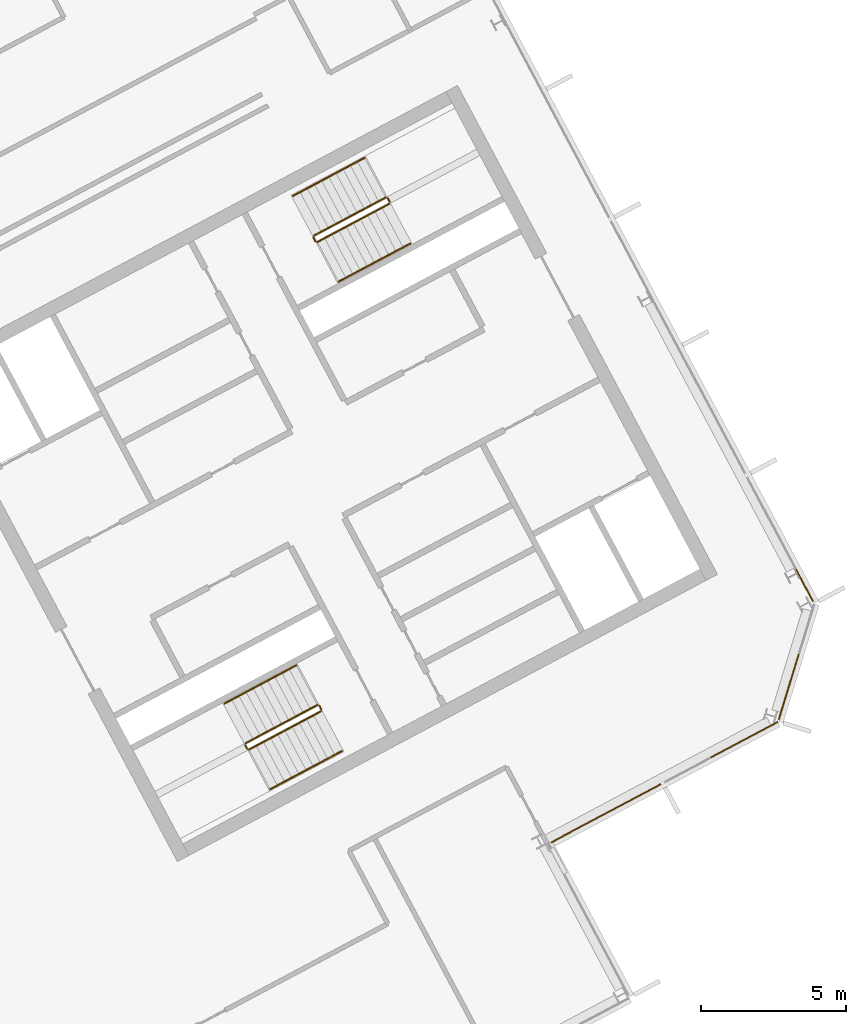
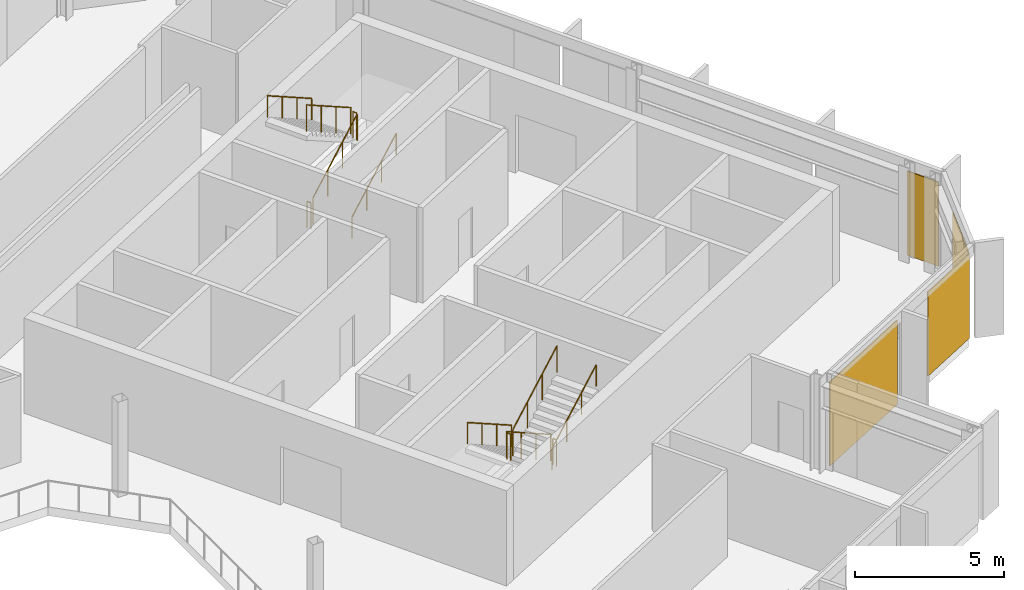
# One storey, part 24 of 25: 12 railings, 4 coverings, 3 elements without a shape of their own.
"""IFC4 building model written with IfcOpenShell, lengths in metres."""

from ifc_helpers import new_model, si_unit, direction, frame, origin, origin_2d, place, context, subcontext, project, spatial, polyline, rectangle, outline, extrude, material, layer, layer_set, type_object, element, aggregate, save


model = new_model("IFC4")

# Units and contexts
model_context = context("Model", 3, precision=1e-05, world=origin(), true_north=direction((0.0, 1.0)))
body_context = subcontext(model_context, "Body", "Model", "MODEL_VIEW")
ifc_project = project(units=[si_unit("LENGTHUNIT", "METRE"), si_unit("AREAUNIT", "SQUARE_METRE"), si_unit("VOLUMEUNIT", "CUBIC_METRE"), si_unit("PLANEANGLEUNIT", "RADIAN"), si_unit("MASSUNIT", "GRAM", prefix="KILO")], contexts=[model_context])

# Site, building, storey
site_placement = place(None, origin())
site = spatial("IfcSite", under=ifc_project, at=site_placement, CompositionType="ELEMENT")
building_placement = place(site_placement, origin())
building = spatial("IfcBuilding", under=site, at=building_placement, Name="Cormorant Relay Tower", CompositionType="ELEMENT")
storey_placement = place(building_placement, frame((0.0, 0.0, 289.199951171875)))
storey = spatial("IfcBuildingStorey", under=building, at=storey_placement, Name="L65", CompositionType="ELEMENT", Elevation=289.199951171875)

# Curtain wall, coverings
ifc_material_1 = material(Name="Aluminium 6063-T6 anodised bronze", Category="aluminium")
ifc_layer_1 = layer(ifc_material_1, 0.199951171875)
ifc_layer_set_1 = layer_set([ifc_layer_1], Name="CW1 unitised bronze curtain wall with vertical fins")
curtain_wall_type = type_object("IfcCurtainWallType", Name="CW1 unitised bronze curtain wall with vertical fins", PredefinedType="NOTDEFINED", material=ifc_layer_set_1)
curtain_wall_1_placement = place(storey_placement, origin())
curtain_wall_1 = element("IfcCurtainWall", 1, at=curtain_wall_1_placement, inside=storey, type_object=curtain_wall_type, Name="CW1 curtain wall 4", PredefinedType="NOTDEFINED")
ifc_material_2 = material(Name="Pale bronze anodised aluminium insulated panel", Category="aluminium")
ifc_layer_2 = layer(ifc_material_2, 0.0400390625)
ifc_layer_set_2 = layer_set([ifc_layer_2], Name="CW1 pale bronze insulated panel 40")
covering_type = type_object("IfcCoveringType", Name="CW1 pale bronze insulated panel 40", PredefinedType="CLADDING", material=ifc_layer_set_2)
covering_1_placement = place(storey_placement, frame((33.793701171875, 0.957275390625, 0.0), z_axis=(0.0, 0.0, 1.0), x_axis=(0.882947592859, 0.469471562786, 0.0)))
covering_1 = element("IfcCovering", 2, at=covering_1_placement, type_object=covering_type, Name="CW1 panel S00", PredefinedType="CLADDING", context=body_context, shape_type="SweptSolid", body=[
    extrude(rectangle(XDim=4.27490234375, YDim=0.0400390625, at=origin_2d()), origin(), (0.0, 0.0, 1.0), 3.449951171875),
])
covering_2_placement = place(storey_placement, frame((38.561767578125, 3.492431640625, 0.0), z_axis=(0.0, 0.0, 1.0), x_axis=(0.882947592859, 0.469471562786, 0.0)))
covering_2 = element("IfcCovering", 3, at=covering_2_placement, type_object=covering_type, Name="CW1 panel S02", PredefinedType="CLADDING", context=body_context, shape_type="SweptSolid", body=[
    extrude(rectangle(XDim=2.625, YDim=0.0400390625, at=origin_2d()), origin(), (0.0, 0.0, 1.0), 3.449951171875),
])
aggregate(curtain_wall_1, [covering_1, covering_2])

# Curtain wall, covering
curtain_wall_2_placement = place(storey_placement, origin())
curtain_wall_2 = element("IfcCurtainWall", 4, at=curtain_wall_2_placement, inside=storey, type_object=curtain_wall_type, Name="CW1 curtain wall 5", PredefinedType="NOTDEFINED")
covering_3_placement = place(storey_placement, frame((40.098388671875, 5.32421875, 0.0), z_axis=(0.0, 0.0, 1.0), x_axis=(0.292371704723, 0.956304755963, 0.0)))
covering_3 = element("IfcCovering", 5, at=covering_3_placement, type_object=covering_type, Name="CW1 panel S00", PredefinedType="CLADDING", context=body_context, shape_type="SweptSolid", body=[
    extrude(rectangle(XDim=2.36767578125, YDim=0.0400390625, at=origin_2d()), origin(), (0.0, 0.0, 1.0), 3.449951171875),
])
aggregate(curtain_wall_2, [covering_3])

curtain_wall_3_placement = place(storey_placement, origin())
curtain_wall_3 = element("IfcCurtainWall", 6, at=curtain_wall_3_placement, inside=storey, type_object=curtain_wall_type, Name="CW1 curtain wall 6", PredefinedType="NOTDEFINED")
covering_4_placement = place(storey_placement, frame((40.640625, 8.810791015625, 0.0), z_axis=(0.0, 0.0, 1.0), x_axis=(-0.469471562786, 0.882947592859, 0.0)))
covering_4 = element("IfcCovering", 7, at=covering_4_placement, type_object=covering_type, Name="CW1 panel S00", PredefinedType="CLADDING", context=body_context, shape_type="SweptSolid", body=[
    extrude(rectangle(XDim=1.25, YDim=0.0400390625, at=origin_2d()), origin(), (0.0, 0.0, 1.0), 3.449951171875),
])
aggregate(curtain_wall_3, [covering_4])

# Railings
ifc_material_3 = material(Name="Steel ASTM A572 Grade 50 (Fy 345 MPa)", Category="steel")
railing_type_1 = type_object("IfcRailingType", Name="Stair guard 1100", PredefinedType="GUARDRAIL", material=ifc_material_3)
railing_1_placement = place(storey_placement, frame((23.83837890625, 4.6904296875, 0.17724609375)))
element("IfcRailing", 8, at=railing_1_placement, inside=storey, type_object=railing_type_1, Name="L65 B1 stair guard 1", PredefinedType="GUARDRAIL", context=body_context, shape_type="SweptSolid", body=[
    extrude(outline(polyline([(0.022216796875, 0.00927734375), (0.00927734375, 0.022216796875), (-0.00927734375, 0.022216796875), (-0.022216796875, 0.00927734375), (-0.022216796875, -0.00927734375), (-0.00927734375, -0.022216796875), (0.00927734375, -0.022216796875), (0.022216796875, -0.00927734375), (0.022216796875, 0.00927734375)])), frame((0.0, 0.0, 1.076171875), z_axis=(-0.746033882577, -0.396627473466, 0.534901947407), x_axis=(0.469429322983, -0.882970050864, 0.0)), (0.0, 0.0, 1.0), 3.31396484375),
    extrude(outline(polyline([(0.019287109375, 0.008056640625), (0.008056640625, 0.019287109375), (-0.008056640625, 0.019287109375), (-0.019287109375, 0.008056640625), (-0.019287109375, -0.008056640625), (-0.008056640625, -0.019287109375), (0.008056640625, -0.019287109375), (0.019287109375, -0.008056640625), (0.019287109375, 0.008056640625)])), origin(), (0.0, 0.0, 1.0), 1.052001953125),
    extrude(outline(polyline([(0.019287109375, 0.008056640625), (0.008056640625, 0.019287109375), (-0.008056640625, 0.019287109375), (-0.019287109375, 0.008056640625), (-0.019287109375, -0.008056640625), (-0.008056640625, -0.019287109375), (0.008056640625, -0.019287109375), (0.019287109375, -0.008056640625), (0.019287109375, 0.008056640625)])), frame((-0.82421875, -0.438232421875, 0.5908203125)), (0.0, 0.0, 1.0), 1.052001953125),
    extrude(outline(polyline([(0.019287109375, 0.008056640625), (0.008056640625, 0.019287109375), (-0.008056640625, 0.019287109375), (-0.019287109375, 0.008056640625), (-0.019287109375, -0.008056640625), (-0.008056640625, -0.019287109375), (0.008056640625, -0.019287109375), (0.019287109375, -0.008056640625), (0.019287109375, 0.008056640625)])), frame((-1.648193359375, -0.876220703125, 1.181884765625)), (0.0, 0.0, 1.0), 1.052001953125),
    extrude(outline(polyline([(0.019287109375, 0.008056640625), (0.008056640625, 0.019287109375), (-0.008056640625, 0.019287109375), (-0.019287109375, 0.008056640625), (-0.019287109375, -0.008056640625), (-0.008056640625, -0.019287109375), (0.008056640625, -0.019287109375), (0.019287109375, -0.008056640625), (0.019287109375, 0.008056640625)])), frame((-2.472412109375, -1.314453125, 1.772705078125)), (0.0, 0.0, 1.0), 1.052001953125),
])
railing_2_placement = place(storey_placement, frame((21.345458984375, 3.308349609375, 1.949951171875)))
element("IfcRailing", 9, at=railing_2_placement, inside=storey, type_object=railing_type_1, Name="L65 B1 stair guard 2", PredefinedType="GUARDRAIL", context=body_context, shape_type="SweptSolid", body=[
    extrude(outline(polyline([(0.022216796875, 0.00927734375), (0.00927734375, 0.022216796875), (-0.00927734375, 0.022216796875), (-0.022216796875, 0.00927734375), (-0.022216796875, -0.00927734375), (-0.00927734375, -0.022216796875), (0.00927734375, -0.022216796875), (0.022216796875, -0.00927734375), (0.022216796875, 0.00927734375)])), frame((0.0, 0.0, 1.076171875), z_axis=(0.46856034887, -0.8834314911, 0.0), x_axis=(0.8834314911, 0.46856034887, 0.0)), (0.0, 0.0, 1.0), 0.150146484375),
    extrude(outline(polyline([(0.019287109375, 0.008056640625), (0.008056640625, 0.019287109375), (-0.008056640625, 0.019287109375), (-0.019287109375, 0.008056640625), (-0.019287109375, -0.008056640625), (-0.008056640625, -0.019287109375), (0.008056640625, -0.019287109375), (0.019287109375, -0.008056640625), (0.019287109375, 0.008056640625)])), origin(), (0.0, 0.0, 1.0), 1.052001953125),
    extrude(outline(polyline([(0.019287109375, 0.008056640625), (0.008056640625, 0.019287109375), (-0.008056640625, 0.019287109375), (-0.019287109375, 0.008056640625), (-0.019287109375, -0.008056640625), (-0.008056640625, -0.019287109375), (0.008056640625, -0.019287109375), (0.019287109375, -0.008056640625), (0.019287109375, 0.008056640625)])), frame((0.0703125, -0.132568359375, 0.0)), (0.0, 0.0, 1.0), 1.052001953125),
])
railing_3_placement = place(storey_placement, frame((21.4833984375, 3.1552734375, 2.12744140625)))
element("IfcRailing", 10, at=railing_3_placement, inside=storey, type_object=railing_type_1, Name="L65 B1 stair guard 3", PredefinedType="GUARDRAIL", context=body_context, shape_type="SweptSolid", body=[
    extrude(outline(polyline([(0.022216796875, 0.00927734375), (0.00927734375, 0.022216796875), (-0.00927734375, 0.022216796875), (-0.022216796875, 0.00927734375), (-0.022216796875, -0.00927734375), (-0.00927734375, -0.022216796875), (0.00927734375, -0.022216796875), (0.022216796875, -0.00927734375), (0.022216796875, 0.00927734375)])), frame((0.0, 0.0, 1.076171875), z_axis=(0.746001213114, 0.396649272309, 0.534931345884), x_axis=(-0.469465464807, 0.882950835185, 0.0)), (0.0, 0.0, 1.0), 3.31396484375),
    extrude(outline(polyline([(0.019287109375, 0.008056640625), (0.008056640625, 0.019287109375), (-0.008056640625, 0.019287109375), (-0.019287109375, 0.008056640625), (-0.019287109375, -0.008056640625), (-0.008056640625, -0.019287109375), (0.008056640625, -0.019287109375), (0.019287109375, -0.008056640625), (0.019287109375, 0.008056640625)])), origin(), (0.0, 0.0, 1.0), 1.052001953125),
    extrude(outline(polyline([(0.019287109375, 0.008056640625), (0.008056640625, 0.019287109375), (-0.008056640625, 0.019287109375), (-0.019287109375, 0.008056640625), (-0.019287109375, -0.008056640625), (-0.008056640625, -0.019287109375), (0.008056640625, -0.019287109375), (0.019287109375, -0.008056640625), (0.019287109375, 0.008056640625)])), frame((0.823974609375, 0.438232421875, 0.5908203125)), (0.0, 0.0, 1.0), 1.052001953125),
    extrude(outline(polyline([(0.019287109375, 0.008056640625), (0.008056640625, 0.019287109375), (-0.008056640625, 0.019287109375), (-0.019287109375, 0.008056640625), (-0.019287109375, -0.008056640625), (-0.008056640625, -0.019287109375), (0.008056640625, -0.019287109375), (0.019287109375, -0.008056640625), (0.019287109375, 0.008056640625)])), frame((1.648193359375, 0.876220703125, 1.181884765625)), (0.0, 0.0, 1.0), 1.052001953125),
    extrude(outline(polyline([(0.019287109375, 0.008056640625), (0.008056640625, 0.019287109375), (-0.008056640625, 0.019287109375), (-0.019287109375, 0.008056640625), (-0.019287109375, -0.008056640625), (-0.008056640625, -0.019287109375), (0.008056640625, -0.019287109375), (0.019287109375, -0.008056640625), (0.019287109375, 0.008056640625)])), frame((2.47216796875, 1.314453125, 1.772705078125)), (0.0, 0.0, 1.0), 1.052001953125),
])
railing_4_placement = place(storey_placement, frame((23.906005859375, 4.669677734375, 0.0)))
element("IfcRailing", 11, at=railing_4_placement, inside=storey, type_object=railing_type_1, Name="L65 B1 stair guard 4", PredefinedType="GUARDRAIL", context=body_context, shape_type="SweptSolid", body=[
    extrude(outline(polyline([(0.022216796875, 0.00927734375), (0.00927734375, 0.022216796875), (-0.00927734375, 0.022216796875), (-0.022216796875, 0.00927734375), (-0.022216796875, -0.00927734375), (-0.00927734375, -0.022216796875), (0.00927734375, -0.022216796875), (0.022216796875, -0.00927734375), (0.022216796875, 0.00927734375)])), frame((0.0, 0.0, 1.076171875), z_axis=(0.469234640946, -0.883073525669, 0.0), x_axis=(0.883073525669, 0.469234640946, 0.0)), (0.0, 0.0, 1.0), 0.14990234375),
    extrude(outline(polyline([(0.019287109375, 0.008056640625), (0.008056640625, 0.019287109375), (-0.008056640625, 0.019287109375), (-0.019287109375, 0.008056640625), (-0.019287109375, -0.008056640625), (-0.008056640625, -0.019287109375), (0.008056640625, -0.019287109375), (0.019287109375, -0.008056640625), (0.019287109375, 0.008056640625)])), origin(), (0.0, 0.0, 1.0), 1.052001953125),
    extrude(outline(polyline([(0.019287109375, 0.008056640625), (0.008056640625, 0.019287109375), (-0.008056640625, 0.019287109375), (-0.019287109375, 0.008056640625), (-0.019287109375, -0.008056640625), (-0.008056640625, -0.019287109375), (0.008056640625, -0.019287109375), (0.019287109375, -0.008056640625), (0.019287109375, 0.008056640625)])), frame((0.0703125, -0.13232421875, 0.0)), (0.0, 0.0, 1.0), 1.052001953125),
])
railing_5_placement = place(storey_placement, frame((23.8408203125, 20.6611328125, 0.17724609375)))
element("IfcRailing", 12, at=railing_5_placement, inside=storey, type_object=railing_type_1, Name="L65 B2 stair guard 1", PredefinedType="GUARDRAIL", context=body_context, shape_type="SweptSolid", body=[
    extrude(outline(polyline([(0.022216796875, 0.00927734375), (0.00927734375, 0.022216796875), (-0.00927734375, 0.022216796875), (-0.022216796875, 0.00927734375), (-0.022216796875, -0.00927734375), (-0.00927734375, -0.022216796875), (0.00927734375, -0.022216796875), (0.022216796875, -0.00927734375), (0.022216796875, 0.00927734375)])), frame((0.0, 0.0, 1.076171875), z_axis=(0.746033882577, 0.396627473466, 0.534901947407), x_axis=(-0.469429322983, 0.882970050864, 0.0)), (0.0, 0.0, 1.0), 3.31396484375),
    extrude(outline(polyline([(0.019287109375, 0.008056640625), (0.008056640625, 0.019287109375), (-0.008056640625, 0.019287109375), (-0.019287109375, 0.008056640625), (-0.019287109375, -0.008056640625), (-0.008056640625, -0.019287109375), (0.008056640625, -0.019287109375), (0.019287109375, -0.008056640625), (0.019287109375, 0.008056640625)])), origin(), (0.0, 0.0, 1.0), 1.052001953125),
    extrude(outline(polyline([(0.019287109375, 0.008056640625), (0.008056640625, 0.019287109375), (-0.008056640625, 0.019287109375), (-0.019287109375, 0.008056640625), (-0.019287109375, -0.008056640625), (-0.008056640625, -0.019287109375), (0.008056640625, -0.019287109375), (0.019287109375, -0.008056640625), (0.019287109375, 0.008056640625)])), frame((0.82421875, 0.438232421875, 0.5908203125)), (0.0, 0.0, 1.0), 1.052001953125),
    extrude(outline(polyline([(0.019287109375, 0.008056640625), (0.008056640625, 0.019287109375), (-0.008056640625, 0.019287109375), (-0.019287109375, 0.008056640625), (-0.019287109375, -0.008056640625), (-0.008056640625, -0.019287109375), (0.008056640625, -0.019287109375), (0.019287109375, -0.008056640625), (0.019287109375, 0.008056640625)])), frame((1.648193359375, 0.876220703125, 1.181884765625)), (0.0, 0.0, 1.0), 1.052001953125),
    extrude(outline(polyline([(0.019287109375, 0.008056640625), (0.008056640625, 0.019287109375), (-0.008056640625, 0.019287109375), (-0.019287109375, 0.008056640625), (-0.019287109375, -0.008056640625), (-0.008056640625, -0.019287109375), (0.008056640625, -0.019287109375), (0.019287109375, -0.008056640625), (0.019287109375, 0.008056640625)])), frame((2.472412109375, 1.314453125, 1.772705078125)), (0.0, 0.0, 1.0), 1.052001953125),
])
railing_6_placement = place(storey_placement, frame((26.333740234375, 22.043212890625, 1.949951171875)))
element("IfcRailing", 13, at=railing_6_placement, inside=storey, type_object=railing_type_1, Name="L65 B2 stair guard 2", PredefinedType="GUARDRAIL", context=body_context, shape_type="SweptSolid", body=[
    extrude(outline(polyline([(0.022216796875, 0.00927734375), (0.00927734375, 0.022216796875), (-0.00927734375, 0.022216796875), (-0.022216796875, 0.00927734375), (-0.022216796875, -0.00927734375), (-0.00927734375, -0.022216796875), (0.00927734375, -0.022216796875), (0.022216796875, -0.00927734375), (0.022216796875, 0.00927734375)])), frame((0.0, 0.0, 1.076171875), z_axis=(-0.469234640946, 0.883073525669, 0.0), x_axis=(-0.883073525669, -0.469234640946, 0.0)), (0.0, 0.0, 1.0), 0.14990234375),
    extrude(outline(polyline([(0.019287109375, 0.008056640625), (0.008056640625, 0.019287109375), (-0.008056640625, 0.019287109375), (-0.019287109375, 0.008056640625), (-0.019287109375, -0.008056640625), (-0.008056640625, -0.019287109375), (0.008056640625, -0.019287109375), (0.019287109375, -0.008056640625), (0.019287109375, 0.008056640625)])), origin(), (0.0, 0.0, 1.0), 1.052001953125),
    extrude(outline(polyline([(0.019287109375, 0.008056640625), (0.008056640625, 0.019287109375), (-0.008056640625, 0.019287109375), (-0.019287109375, 0.008056640625), (-0.019287109375, -0.008056640625), (-0.008056640625, -0.019287109375), (0.008056640625, -0.019287109375), (0.019287109375, -0.008056640625), (0.019287109375, 0.008056640625)])), frame((-0.0703125, 0.13232421875, 0.0)), (0.0, 0.0, 1.0), 1.052001953125),
])
railing_7_placement = place(storey_placement, frame((26.19580078125, 22.1962890625, 2.12744140625)))
element("IfcRailing", 14, at=railing_7_placement, inside=storey, type_object=railing_type_1, Name="L65 B2 stair guard 3", PredefinedType="GUARDRAIL", context=body_context, shape_type="SweptSolid", body=[
    extrude(outline(polyline([(0.022216796875, 0.00927734375), (0.00927734375, 0.022216796875), (-0.00927734375, 0.022216796875), (-0.022216796875, 0.00927734375), (-0.022216796875, -0.00927734375), (-0.00927734375, -0.022216796875), (0.00927734375, -0.022216796875), (0.022216796875, -0.00927734375), (0.022216796875, 0.00927734375)])), frame((0.0, 0.0, 1.076171875), z_axis=(-0.746033882577, -0.396627473466, 0.534901947407), x_axis=(0.469429322983, -0.882970050864, 0.0)), (0.0, 0.0, 1.0), 3.31396484375),
    extrude(outline(polyline([(0.019287109375, 0.008056640625), (0.008056640625, 0.019287109375), (-0.008056640625, 0.019287109375), (-0.019287109375, 0.008056640625), (-0.019287109375, -0.008056640625), (-0.008056640625, -0.019287109375), (0.008056640625, -0.019287109375), (0.019287109375, -0.008056640625), (0.019287109375, 0.008056640625)])), origin(), (0.0, 0.0, 1.0), 1.052001953125),
    extrude(outline(polyline([(0.019287109375, 0.008056640625), (0.008056640625, 0.019287109375), (-0.008056640625, 0.019287109375), (-0.019287109375, 0.008056640625), (-0.019287109375, -0.008056640625), (-0.008056640625, -0.019287109375), (0.008056640625, -0.019287109375), (0.019287109375, -0.008056640625), (0.019287109375, 0.008056640625)])), frame((-0.82421875, -0.438232421875, 0.5908203125)), (0.0, 0.0, 1.0), 1.052001953125),
    extrude(outline(polyline([(0.019287109375, 0.008056640625), (0.008056640625, 0.019287109375), (-0.008056640625, 0.019287109375), (-0.019287109375, 0.008056640625), (-0.019287109375, -0.008056640625), (-0.008056640625, -0.019287109375), (0.008056640625, -0.019287109375), (0.019287109375, -0.008056640625), (0.019287109375, 0.008056640625)])), frame((-1.648193359375, -0.876220703125, 1.181884765625)), (0.0, 0.0, 1.0), 1.052001953125),
    extrude(outline(polyline([(0.019287109375, 0.008056640625), (0.008056640625, 0.019287109375), (-0.008056640625, 0.019287109375), (-0.019287109375, 0.008056640625), (-0.019287109375, -0.008056640625), (-0.008056640625, -0.019287109375), (0.008056640625, -0.019287109375), (0.019287109375, -0.008056640625), (0.019287109375, 0.008056640625)])), frame((-2.472412109375, -1.314453125, 1.772705078125)), (0.0, 0.0, 1.0), 1.052001953125),
])
railing_8_placement = place(storey_placement, frame((23.773193359375, 20.681640625, 0.0)))
element("IfcRailing", 15, at=railing_8_placement, inside=storey, type_object=railing_type_1, Name="L65 B2 stair guard 4", PredefinedType="GUARDRAIL", context=body_context, shape_type="SweptSolid", body=[
    extrude(outline(polyline([(0.022216796875, 0.00927734375), (0.00927734375, 0.022216796875), (-0.00927734375, 0.022216796875), (-0.022216796875, 0.00927734375), (-0.022216796875, -0.00927734375), (-0.00927734375, -0.022216796875), (0.00927734375, -0.022216796875), (0.022216796875, -0.00927734375), (0.022216796875, 0.00927734375)])), frame((0.0, 0.0, 1.076171875), z_axis=(-0.46856034887, 0.8834314911, 0.0), x_axis=(-0.8834314911, -0.46856034887, 0.0)), (0.0, 0.0, 1.0), 0.150146484375),
    extrude(outline(polyline([(0.019287109375, 0.008056640625), (0.008056640625, 0.019287109375), (-0.008056640625, 0.019287109375), (-0.019287109375, 0.008056640625), (-0.019287109375, -0.008056640625), (-0.008056640625, -0.019287109375), (0.008056640625, -0.019287109375), (0.019287109375, -0.008056640625), (0.019287109375, 0.008056640625)])), origin(), (0.0, 0.0, 1.0), 1.052001953125),
    extrude(outline(polyline([(0.019287109375, 0.008056640625), (0.008056640625, 0.019287109375), (-0.008056640625, 0.019287109375), (-0.019287109375, 0.008056640625), (-0.019287109375, -0.008056640625), (-0.008056640625, -0.019287109375), (0.008056640625, -0.019287109375), (0.019287109375, -0.008056640625), (0.019287109375, 0.008056640625)])), frame((-0.0703125, 0.132568359375, 0.0)), (0.0, 0.0, 1.0), 1.052001953125),
])
ifc_material_4 = material(Name="Steel ASTM A572 Grade 50 (Fy 345 MPa)", Category="steel")
railing_type_2 = type_object("IfcRailingType", Name="Stair handrail 900", PredefinedType="HANDRAIL", material=ifc_material_4)
railing_9_placement = place(storey_placement, frame((23.110595703125, 6.05908203125, 0.17724609375)))
element("IfcRailing", 16, at=railing_9_placement, inside=storey, type_object=railing_type_2, Name="L65 B1 stair handrail 1", PredefinedType="HANDRAIL", context=body_context, shape_type="SweptSolid", body=[
    extrude(outline(polyline([(0.022216796875, 0.00927734375), (0.00927734375, 0.022216796875), (-0.00927734375, 0.022216796875), (-0.022216796875, 0.00927734375), (-0.022216796875, -0.00927734375), (-0.00927734375, -0.022216796875), (0.00927734375, -0.022216796875), (0.022216796875, -0.00927734375), (0.022216796875, 0.00927734375)])), frame((0.0, 0.0, 0.8759765625), z_axis=(-0.745979412481, -0.396711350603, 0.534915713414), x_axis=(0.469533439143, -0.882914689835, 0.0)), (0.0, 0.0, 1.0), 3.31396484375),
    extrude(outline(polyline([(0.019287109375, 0.008056640625), (0.008056640625, 0.019287109375), (-0.008056640625, 0.019287109375), (-0.019287109375, 0.008056640625), (-0.019287109375, -0.008056640625), (-0.008056640625, -0.019287109375), (0.008056640625, -0.019287109375), (0.019287109375, -0.008056640625), (0.019287109375, 0.008056640625)])), origin(), (0.0, 0.0, 1.0), 0.851806640625),
    extrude(outline(polyline([(0.019287109375, 0.008056640625), (0.008056640625, 0.019287109375), (-0.008056640625, 0.019287109375), (-0.019287109375, 0.008056640625), (-0.019287109375, -0.008056640625), (-0.008056640625, -0.019287109375), (0.008056640625, -0.019287109375), (0.019287109375, -0.008056640625), (0.019287109375, 0.008056640625)])), frame((-0.823974609375, -0.438232421875, 0.5908203125)), (0.0, 0.0, 1.0), 0.851806640625),
    extrude(outline(polyline([(0.019287109375, 0.008056640625), (0.008056640625, 0.019287109375), (-0.008056640625, 0.019287109375), (-0.019287109375, 0.008056640625), (-0.019287109375, -0.008056640625), (-0.008056640625, -0.019287109375), (0.008056640625, -0.019287109375), (0.019287109375, -0.008056640625), (0.019287109375, 0.008056640625)])), frame((-1.648193359375, -0.87646484375, 1.181884765625)), (0.0, 0.0, 1.0), 0.851806640625),
    extrude(outline(polyline([(0.019287109375, 0.008056640625), (0.008056640625, 0.019287109375), (-0.008056640625, 0.019287109375), (-0.019287109375, 0.008056640625), (-0.019287109375, -0.008056640625), (-0.008056640625, -0.019287109375), (0.008056640625, -0.019287109375), (0.019287109375, -0.008056640625), (0.019287109375, 0.008056640625)])), frame((-2.47216796875, -1.314697265625, 1.772705078125)), (0.0, 0.0, 1.0), 0.851806640625),
])
railing_10_placement = place(storey_placement, frame((22.211181640625, 1.78662109375, 2.12744140625)))
element("IfcRailing", 17, at=railing_10_placement, inside=storey, type_object=railing_type_2, Name="L65 B1 stair handrail 2", PredefinedType="HANDRAIL", context=body_context, shape_type="SweptSolid", body=[
    extrude(outline(polyline([(0.022216796875, 0.00927734375), (0.00927734375, 0.022216796875), (-0.00927734375, 0.022216796875), (-0.022216796875, 0.00927734375), (-0.022216796875, -0.00927734375), (-0.00927734375, -0.022216796875), (0.00927734375, -0.022216796875), (0.022216796875, -0.00927734375), (0.022216796875, 0.00927734375)])), frame((0.0, 0.0, 0.8759765625), z_axis=(0.746001213114, 0.396649272309, 0.534931345884), x_axis=(-0.469465464807, 0.882950835185, 0.0)), (0.0, 0.0, 1.0), 3.31396484375),
    extrude(outline(polyline([(0.019287109375, 0.008056640625), (0.008056640625, 0.019287109375), (-0.008056640625, 0.019287109375), (-0.019287109375, 0.008056640625), (-0.019287109375, -0.008056640625), (-0.008056640625, -0.019287109375), (0.008056640625, -0.019287109375), (0.019287109375, -0.008056640625), (0.019287109375, 0.008056640625)])), origin(), (0.0, 0.0, 1.0), 0.851806640625),
    extrude(outline(polyline([(0.019287109375, 0.008056640625), (0.008056640625, 0.019287109375), (-0.008056640625, 0.019287109375), (-0.019287109375, 0.008056640625), (-0.019287109375, -0.008056640625), (-0.008056640625, -0.019287109375), (0.008056640625, -0.019287109375), (0.019287109375, -0.008056640625), (0.019287109375, 0.008056640625)])), frame((0.823974609375, 0.438232421875, 0.5908203125)), (0.0, 0.0, 1.0), 0.851806640625),
    extrude(outline(polyline([(0.019287109375, 0.008056640625), (0.008056640625, 0.019287109375), (-0.008056640625, 0.019287109375), (-0.019287109375, 0.008056640625), (-0.019287109375, -0.008056640625), (-0.008056640625, -0.019287109375), (0.008056640625, -0.019287109375), (0.019287109375, -0.008056640625), (0.019287109375, 0.008056640625)])), frame((1.648193359375, 0.876220703125, 1.181884765625)), (0.0, 0.0, 1.0), 0.851806640625),
    extrude(outline(polyline([(0.019287109375, 0.008056640625), (0.008056640625, 0.019287109375), (-0.008056640625, 0.019287109375), (-0.019287109375, 0.008056640625), (-0.019287109375, -0.008056640625), (-0.008056640625, -0.019287109375), (0.008056640625, -0.019287109375), (0.019287109375, -0.008056640625), (0.019287109375, 0.008056640625)])), frame((2.47216796875, 1.314453125, 1.772705078125)), (0.0, 0.0, 1.0), 0.851806640625),
])
railing_11_placement = place(storey_placement, frame((24.568603515625, 19.29248046875, 0.17724609375)))
element("IfcRailing", 18, at=railing_11_placement, inside=storey, type_object=railing_type_2, Name="L65 B2 stair handrail 1", PredefinedType="HANDRAIL", context=body_context, shape_type="SweptSolid", body=[
    extrude(outline(polyline([(0.022216796875, 0.00927734375), (0.00927734375, 0.022216796875), (-0.00927734375, 0.022216796875), (-0.022216796875, 0.00927734375), (-0.022216796875, -0.00927734375), (-0.00927734375, -0.022216796875), (0.00927734375, -0.022216796875), (0.022216796875, -0.00927734375), (0.022216796875, 0.00927734375)])), frame((0.0, 0.0, 0.8759765625), z_axis=(0.746001213114, 0.396649272309, 0.534931345884), x_axis=(-0.469465464807, 0.882950835185, 0.0)), (0.0, 0.0, 1.0), 3.31396484375),
    extrude(outline(polyline([(0.019287109375, 0.008056640625), (0.008056640625, 0.019287109375), (-0.008056640625, 0.019287109375), (-0.019287109375, 0.008056640625), (-0.019287109375, -0.008056640625), (-0.008056640625, -0.019287109375), (0.008056640625, -0.019287109375), (0.019287109375, -0.008056640625), (0.019287109375, 0.008056640625)])), origin(), (0.0, 0.0, 1.0), 0.851806640625),
    extrude(outline(polyline([(0.019287109375, 0.008056640625), (0.008056640625, 0.019287109375), (-0.008056640625, 0.019287109375), (-0.019287109375, 0.008056640625), (-0.019287109375, -0.008056640625), (-0.008056640625, -0.019287109375), (0.008056640625, -0.019287109375), (0.019287109375, -0.008056640625), (0.019287109375, 0.008056640625)])), frame((0.823974609375, 0.438232421875, 0.5908203125)), (0.0, 0.0, 1.0), 0.851806640625),
    extrude(outline(polyline([(0.019287109375, 0.008056640625), (0.008056640625, 0.019287109375), (-0.008056640625, 0.019287109375), (-0.019287109375, 0.008056640625), (-0.019287109375, -0.008056640625), (-0.008056640625, -0.019287109375), (0.008056640625, -0.019287109375), (0.019287109375, -0.008056640625), (0.019287109375, 0.008056640625)])), frame((1.648193359375, 0.876220703125, 1.181884765625)), (0.0, 0.0, 1.0), 0.851806640625),
    extrude(outline(polyline([(0.019287109375, 0.008056640625), (0.008056640625, 0.019287109375), (-0.008056640625, 0.019287109375), (-0.019287109375, 0.008056640625), (-0.019287109375, -0.008056640625), (-0.008056640625, -0.019287109375), (0.008056640625, -0.019287109375), (0.019287109375, -0.008056640625), (0.019287109375, 0.008056640625)])), frame((2.47216796875, 1.314453125, 1.772705078125)), (0.0, 0.0, 1.0), 0.851806640625),
])
railing_12_placement = place(storey_placement, frame((25.468017578125, 23.56494140625, 2.12744140625)))
element("IfcRailing", 19, at=railing_12_placement, inside=storey, type_object=railing_type_2, Name="L65 B2 stair handrail 2", PredefinedType="HANDRAIL", context=body_context, shape_type="SweptSolid", body=[
    extrude(outline(polyline([(0.022216796875, 0.00927734375), (0.00927734375, 0.022216796875), (-0.00927734375, 0.022216796875), (-0.022216796875, 0.00927734375), (-0.022216796875, -0.00927734375), (-0.00927734375, -0.022216796875), (0.00927734375, -0.022216796875), (0.022216796875, -0.00927734375), (0.022216796875, 0.00927734375)])), frame((0.0, 0.0, 0.8759765625), z_axis=(-0.745979412481, -0.396711350603, 0.534915713414), x_axis=(0.469533439143, -0.882914689835, 0.0)), (0.0, 0.0, 1.0), 3.31396484375),
    extrude(outline(polyline([(0.019287109375, 0.008056640625), (0.008056640625, 0.019287109375), (-0.008056640625, 0.019287109375), (-0.019287109375, 0.008056640625), (-0.019287109375, -0.008056640625), (-0.008056640625, -0.019287109375), (0.008056640625, -0.019287109375), (0.019287109375, -0.008056640625), (0.019287109375, 0.008056640625)])), origin(), (0.0, 0.0, 1.0), 0.851806640625),
    extrude(outline(polyline([(0.019287109375, 0.008056640625), (0.008056640625, 0.019287109375), (-0.008056640625, 0.019287109375), (-0.019287109375, 0.008056640625), (-0.019287109375, -0.008056640625), (-0.008056640625, -0.019287109375), (0.008056640625, -0.019287109375), (0.019287109375, -0.008056640625), (0.019287109375, 0.008056640625)])), frame((-0.823974609375, -0.438232421875, 0.5908203125)), (0.0, 0.0, 1.0), 0.851806640625),
    extrude(outline(polyline([(0.019287109375, 0.008056640625), (0.008056640625, 0.019287109375), (-0.008056640625, 0.019287109375), (-0.019287109375, 0.008056640625), (-0.019287109375, -0.008056640625), (-0.008056640625, -0.019287109375), (0.008056640625, -0.019287109375), (0.019287109375, -0.008056640625), (0.019287109375, 0.008056640625)])), frame((-1.648193359375, -0.87646484375, 1.181884765625)), (0.0, 0.0, 1.0), 0.851806640625),
    extrude(outline(polyline([(0.019287109375, 0.008056640625), (0.008056640625, 0.019287109375), (-0.008056640625, 0.019287109375), (-0.019287109375, 0.008056640625), (-0.019287109375, -0.008056640625), (-0.008056640625, -0.019287109375), (0.008056640625, -0.019287109375), (0.019287109375, -0.008056640625), (0.019287109375, 0.008056640625)])), frame((-2.47216796875, -1.314697265625, 1.772705078125)), (0.0, 0.0, 1.0), 0.851806640625),
])

save(model, "model.ifc")
